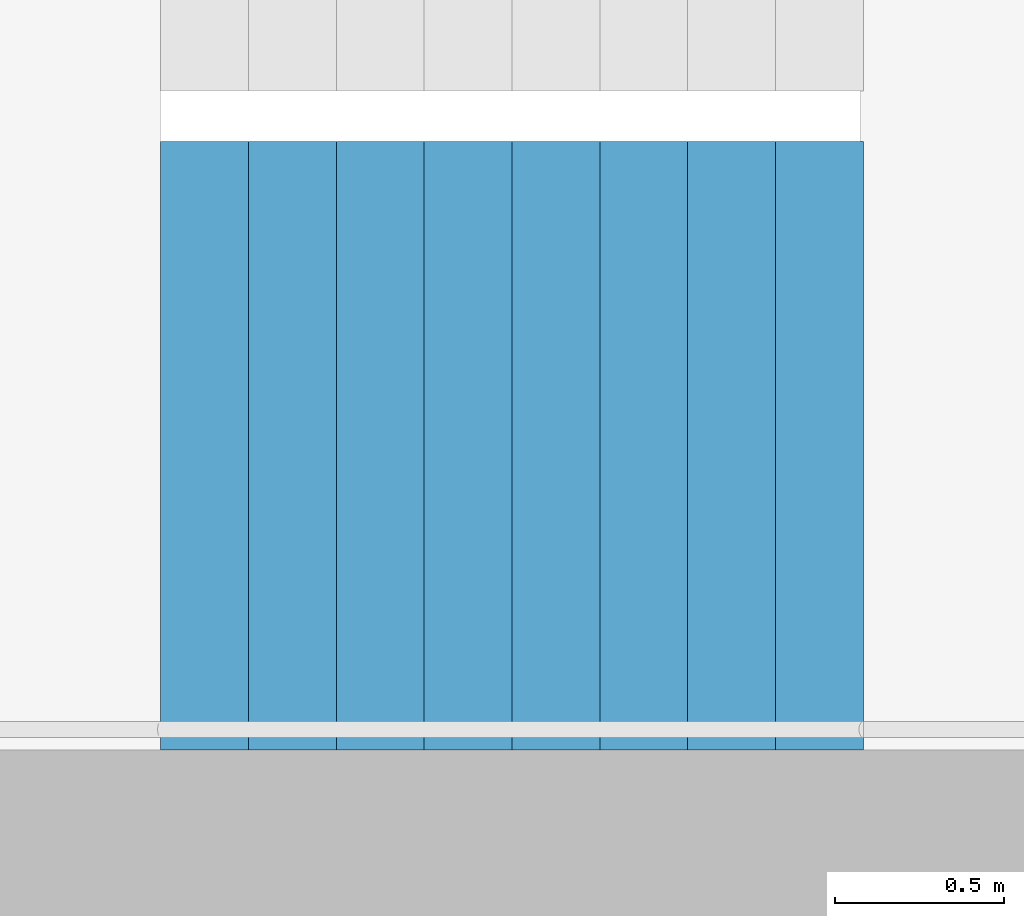
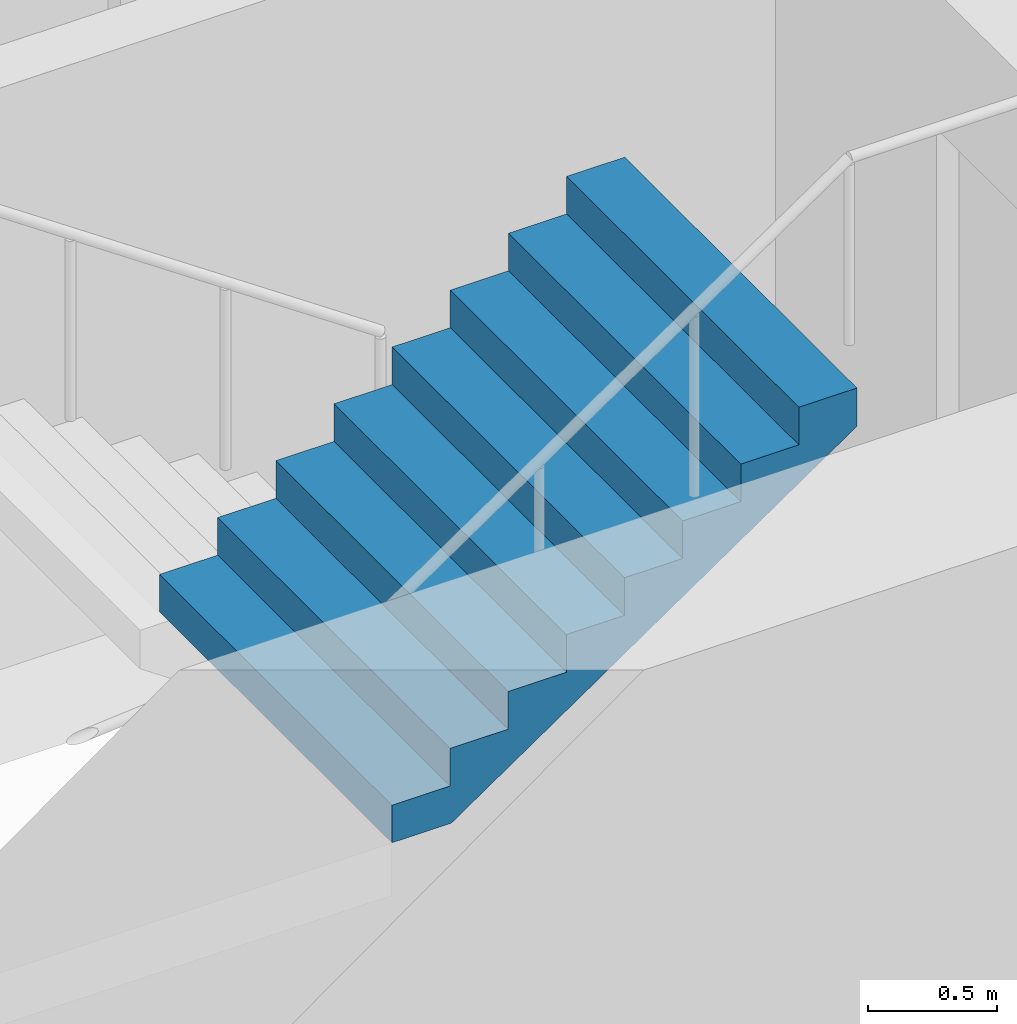
# One storey, part 18 of 26: 1 stair flight, 1 element without a shape of its own.
"""IFC4 building model written with IfcOpenShell, lengths in metres."""

from ifc_helpers import new_model, si_unit, direction, frame, origin, place, context, subcontext, project, spatial, triangles, material, type_object, element, aggregate, save


model = new_model("IFC4")

# Units and contexts
model_context = context("Model", 3, precision=1e-05, world=origin(), true_north=direction((0.0, 1.0)))
body_context = subcontext(model_context, "Body", "Model", "MODEL_VIEW")
ifc_project = project(units=[si_unit("LENGTHUNIT", "METRE"), si_unit("AREAUNIT", "SQUARE_METRE"), si_unit("VOLUMEUNIT", "CUBIC_METRE"), si_unit("PLANEANGLEUNIT", "RADIAN"), si_unit("MASSUNIT", "GRAM", prefix="KILO")], contexts=[model_context])

# Site, building, storey
site_placement = place(None, origin())
site = spatial("IfcSite", under=ifc_project, at=site_placement, CompositionType="ELEMENT")
building_placement = place(site_placement, origin())
building = spatial("IfcBuilding", under=site, at=building_placement, Name="Hakoniwa Tower and Hamabe Station Hall", CompositionType="ELEMENT")
storey_placement = place(building_placement, frame((0.0, 0.0, 143.800048828125)))
storey = spatial("IfcBuildingStorey", under=building, at=storey_placement, Name="L40", CompositionType="ELEMENT", Elevation=143.800048828125)

# Stair, stair flight
ifc_material_1 = material(Name="Concrete C40", Category="concrete")
stair_type = type_object("IfcStairType", Name="ESCAPE STAIR 1800", PredefinedType="HALF_TURN_STAIR", material=ifc_material_1)
stair_placement = place(storey_placement, origin())
stair = element("IfcStair", 1, at=stair_placement, inside=storey, type_object=stair_type, Name="Escape stair ST-2 L40", PredefinedType="HALF_TURN_STAIR")
ifc_material_2 = material(Name="Concrete C40", Category="concrete")
stair_flight_type = type_object("IfcStairFlightType", Name="STAIR FLIGHT 1800", PredefinedType="STRAIGHT", material=ifc_material_2)
stair_flight_placement = place(storey_placement, frame((-25.47998046875, -6.60009765625, 1.599853515625), z_axis=(0.0, 0.0, 1.0), x_axis=(1.0, 0.0, 0.0)))
stair_flight = element("IfcStairFlight", 2, at=stair_flight_placement, type_object=stair_flight_type, Name="ST-2 flight 2", NumberOfRisers=9, NumberOfTreads=8, PredefinedType="STRAIGHT", RiserHeight=0.177777778, TreadLength=0.26, context=body_context, shape_type="Tessellation", body=[
    triangles([(0.0, 0.89990234375, 0.0), (0.260009765625, 0.89990234375, 0.0), (0.265625, 0.89990234375, 0.0), (0.52001953125, 0.89990234375, 0.174072265625), (0.780029296875, 0.89990234375, 0.351806640625), (1.0400390625, 0.89990234375, 0.529541015625), (1.300048828125, 0.89990234375, 0.707275390625), (1.56005859375, 0.89990234375, 0.885009765625), (1.820068359375, 0.89990234375, 1.062744140625), (2.080078125, 0.89990234375, 1.24072265625), (2.080078125, 0.89990234375, 1.422119140625), (1.820068359375, 0.89990234375, 1.422119140625), (1.820068359375, 0.89990234375, 1.244384765625), (1.56005859375, 0.89990234375, 1.244384765625), (1.56005859375, 0.89990234375, 1.066650390625), (1.300048828125, 0.89990234375, 1.066650390625), (1.300048828125, 0.89990234375, 0.888916015625), (1.0400390625, 0.89990234375, 0.888916015625), (1.0400390625, 0.89990234375, 0.711181640625), (0.780029296875, 0.89990234375, 0.711181640625), (0.780029296875, 0.89990234375, 0.533447265625), (0.52001953125, 0.89990234375, 0.533447265625), (0.52001953125, 0.89990234375, 0.35546875), (0.265625, 0.89990234375, 0.35546875), (0.260009765625, 0.89990234375, 0.35546875), (0.260009765625, 0.89990234375, 0.177734375), (0.0, 0.89990234375, 0.177734375), (0.0, 0.06005859375, 0.0), (0.260009765625, 0.06005859375, 0.0), (0.265625, 0.06005859375, 0.0), (0.52001953125, 0.06005859375, 0.174072265625), (0.780029296875, 0.06005859375, 0.351806640625), (1.0400390625, 0.06005859375, 0.529541015625), (1.300048828125, 0.06005859375, 0.707275390625), (1.56005859375, 0.06005859375, 0.885009765625), (1.820068359375, 0.06005859375, 1.062744140625), (2.080078125, 0.06005859375, 1.24072265625), (2.080078125, 0.06005859375, 1.422119140625), (1.820068359375, 0.06005859375, 1.422119140625), (1.820068359375, 0.06005859375, 1.244384765625), (1.56005859375, 0.06005859375, 1.244384765625), (1.56005859375, 0.06005859375, 1.066650390625), (1.300048828125, 0.06005859375, 1.066650390625), (1.300048828125, 0.06005859375, 0.888916015625), (1.0400390625, 0.06005859375, 0.888916015625), (1.0400390625, 0.06005859375, 0.711181640625), (0.780029296875, 0.06005859375, 0.711181640625), (0.780029296875, 0.06005859375, 0.533447265625), (0.52001953125, 0.06005859375, 0.533447265625), (0.52001953125, 0.06005859375, 0.35546875), (0.265625, 0.06005859375, 0.35546875), (0.260009765625, 0.06005859375, 0.35546875), (0.260009765625, 0.06005859375, 0.177734375), (0.0, 0.06005859375, 0.177734375), (0.0, 0.04296875, 0.0), (0.260009765625, 0.04296875, 0.0), (0.265625, 0.04296875, 0.0), (0.52001953125, 0.04296875, 0.174072265625), (0.780029296875, 0.04296875, 0.351806640625), (1.0400390625, 0.04296875, 0.529541015625), (1.300048828125, 0.04296875, 0.707275390625), (1.56005859375, 0.04296875, 0.885009765625), (1.820068359375, 0.04296875, 1.062744140625), (2.080078125, 0.04296875, 1.24072265625), (2.080078125, 0.04296875, 1.422119140625), (1.820068359375, 0.04296875, 1.422119140625), (1.820068359375, 0.04296875, 1.244384765625), (1.56005859375, 0.04296875, 1.244384765625), (1.56005859375, 0.04296875, 1.066650390625), (1.300048828125, 0.04296875, 1.066650390625), (1.300048828125, 0.04296875, 0.888916015625), (1.0400390625, 0.04296875, 0.888916015625), (1.0400390625, 0.04296875, 0.711181640625), (0.780029296875, 0.04296875, 0.711181640625), (0.780029296875, 0.04296875, 0.533447265625), (0.52001953125, 0.04296875, 0.533447265625), (0.52001953125, 0.04296875, 0.35546875), (0.265625, 0.04296875, 0.35546875), (0.260009765625, 0.04296875, 0.35546875), (0.260009765625, 0.04296875, 0.177734375), (0.0, 0.04296875, 0.177734375), (0.0, 0.025634765625, 0.0), (0.260009765625, 0.025634765625, 0.0), (0.265625, 0.025634765625, 0.0), (0.52001953125, 0.025634765625, 0.174072265625), (0.780029296875, 0.025634765625, 0.351806640625), (1.0400390625, 0.025634765625, 0.529541015625), (1.300048828125, 0.025634765625, 0.707275390625), (1.56005859375, 0.025634765625, 0.885009765625), (1.820068359375, 0.025634765625, 1.062744140625), (2.080078125, 0.025634765625, 1.24072265625), (2.080078125, 0.025634765625, 1.422119140625), (1.820068359375, 0.025634765625, 1.422119140625), (1.820068359375, 0.025634765625, 1.244384765625), (1.56005859375, 0.025634765625, 1.244384765625), (1.56005859375, 0.025634765625, 1.066650390625), (1.300048828125, 0.025634765625, 1.066650390625), (1.300048828125, 0.025634765625, 0.888916015625), (1.0400390625, 0.025634765625, 0.888916015625), (1.0400390625, 0.025634765625, 0.711181640625), (0.780029296875, 0.025634765625, 0.711181640625), (0.780029296875, 0.025634765625, 0.533447265625), (0.52001953125, 0.025634765625, 0.533447265625), (0.52001953125, 0.025634765625, 0.35546875), (0.265625, 0.025634765625, 0.35546875), (0.260009765625, 0.025634765625, 0.35546875), (0.260009765625, 0.025634765625, 0.177734375), (0.0, 0.025634765625, 0.177734375), (0.0, 0.008544921875, 0.0), (0.260009765625, 0.008544921875, 0.0), (0.265625, 0.008544921875, 0.0), (0.52001953125, 0.008544921875, 0.174072265625), (0.780029296875, 0.008544921875, 0.351806640625), (1.0400390625, 0.008544921875, 0.529541015625), (1.300048828125, 0.008544921875, 0.707275390625), (1.56005859375, 0.008544921875, 0.885009765625), (1.820068359375, 0.008544921875, 1.062744140625), (2.080078125, 0.008544921875, 1.24072265625), (2.080078125, 0.008544921875, 1.422119140625), (1.820068359375, 0.008544921875, 1.422119140625), (1.820068359375, 0.008544921875, 1.244384765625), (1.56005859375, 0.008544921875, 1.244384765625), (1.56005859375, 0.008544921875, 1.066650390625), (1.300048828125, 0.008544921875, 1.066650390625), (1.300048828125, 0.008544921875, 0.888916015625), (1.0400390625, 0.008544921875, 0.888916015625), (1.0400390625, 0.008544921875, 0.711181640625), (0.780029296875, 0.008544921875, 0.711181640625), (0.780029296875, 0.008544921875, 0.533447265625), (0.52001953125, 0.008544921875, 0.533447265625), (0.52001953125, 0.008544921875, 0.35546875), (0.265625, 0.008544921875, 0.35546875), (0.260009765625, 0.008544921875, 0.35546875), (0.260009765625, 0.008544921875, 0.177734375), (0.0, 0.008544921875, 0.177734375), (0.0, -0.008544921875, 0.0), (0.260009765625, -0.008544921875, 0.0), (0.265625, -0.008544921875, 0.0), (0.52001953125, -0.008544921875, 0.174072265625), (0.780029296875, -0.008544921875, 0.351806640625), (1.0400390625, -0.008544921875, 0.529541015625), (1.300048828125, -0.008544921875, 0.707275390625), (1.56005859375, -0.008544921875, 0.885009765625), (1.820068359375, -0.008544921875, 1.062744140625), (2.080078125, -0.008544921875, 1.24072265625), (2.080078125, -0.008544921875, 1.422119140625), (1.820068359375, -0.008544921875, 1.422119140625), (1.820068359375, -0.008544921875, 1.244384765625), (1.56005859375, -0.008544921875, 1.244384765625), (1.56005859375, -0.008544921875, 1.066650390625), (1.300048828125, -0.008544921875, 1.066650390625), (1.300048828125, -0.008544921875, 0.888916015625), (1.0400390625, -0.008544921875, 0.888916015625), (1.0400390625, -0.008544921875, 0.711181640625), (0.780029296875, -0.008544921875, 0.711181640625), (0.780029296875, -0.008544921875, 0.533447265625), (0.52001953125, -0.008544921875, 0.533447265625), (0.52001953125, -0.008544921875, 0.35546875), (0.265625, -0.008544921875, 0.35546875), (0.260009765625, -0.008544921875, 0.35546875), (0.260009765625, -0.008544921875, 0.177734375), (0.0, -0.008544921875, 0.177734375), (0.0, -0.025634765625, 0.0), (0.260009765625, -0.025634765625, 0.0), (0.265625, -0.025634765625, 0.0), (0.52001953125, -0.025634765625, 0.174072265625), (0.780029296875, -0.025634765625, 0.351806640625), (1.0400390625, -0.025634765625, 0.529541015625), (1.300048828125, -0.025634765625, 0.707275390625), (1.56005859375, -0.025634765625, 0.885009765625), (1.820068359375, -0.025634765625, 1.062744140625), (2.080078125, -0.025634765625, 1.24072265625), (2.080078125, -0.025634765625, 1.422119140625), (1.820068359375, -0.025634765625, 1.422119140625), (1.820068359375, -0.025634765625, 1.244384765625), (1.56005859375, -0.025634765625, 1.244384765625), (1.56005859375, -0.025634765625, 1.066650390625), (1.300048828125, -0.025634765625, 1.066650390625), (1.300048828125, -0.025634765625, 0.888916015625), (1.0400390625, -0.025634765625, 0.888916015625), (1.0400390625, -0.025634765625, 0.711181640625), (0.780029296875, -0.025634765625, 0.711181640625), (0.780029296875, -0.025634765625, 0.533447265625), (0.52001953125, -0.025634765625, 0.533447265625), (0.52001953125, -0.025634765625, 0.35546875), (0.265625, -0.025634765625, 0.35546875), (0.260009765625, -0.025634765625, 0.35546875), (0.260009765625, -0.025634765625, 0.177734375), (0.0, -0.025634765625, 0.177734375), (0.0, -0.04296875, 0.0), (0.260009765625, -0.04296875, 0.0), (0.265625, -0.04296875, 0.0), (0.52001953125, -0.04296875, 0.174072265625), (0.780029296875, -0.04296875, 0.351806640625), (1.0400390625, -0.04296875, 0.529541015625), (1.300048828125, -0.04296875, 0.707275390625), (1.56005859375, -0.04296875, 0.885009765625), (1.820068359375, -0.04296875, 1.062744140625), (2.080078125, -0.04296875, 1.24072265625), (2.080078125, -0.04296875, 1.422119140625), (1.820068359375, -0.04296875, 1.422119140625), (1.820068359375, -0.04296875, 1.244384765625), (1.56005859375, -0.04296875, 1.244384765625), (1.56005859375, -0.04296875, 1.066650390625), (1.300048828125, -0.04296875, 1.066650390625), (1.300048828125, -0.04296875, 0.888916015625), (1.0400390625, -0.04296875, 0.888916015625), (1.0400390625, -0.04296875, 0.711181640625), (0.780029296875, -0.04296875, 0.711181640625), (0.780029296875, -0.04296875, 0.533447265625), (0.52001953125, -0.04296875, 0.533447265625), (0.52001953125, -0.04296875, 0.35546875), (0.265625, -0.04296875, 0.35546875), (0.260009765625, -0.04296875, 0.35546875), (0.260009765625, -0.04296875, 0.177734375), (0.0, -0.04296875, 0.177734375), (0.0, -0.06005859375, 0.0), (0.260009765625, -0.06005859375, 0.0), (0.265625, -0.06005859375, 0.0), (0.52001953125, -0.06005859375, 0.174072265625), (0.780029296875, -0.06005859375, 0.351806640625), (1.0400390625, -0.06005859375, 0.529541015625), (1.300048828125, -0.06005859375, 0.707275390625), (1.56005859375, -0.06005859375, 0.885009765625), (1.820068359375, -0.06005859375, 1.062744140625), (2.080078125, -0.06005859375, 1.24072265625), (2.080078125, -0.06005859375, 1.422119140625), (1.820068359375, -0.06005859375, 1.422119140625), (1.820068359375, -0.06005859375, 1.244384765625), (1.56005859375, -0.06005859375, 1.244384765625), (1.56005859375, -0.06005859375, 1.066650390625), (1.300048828125, -0.06005859375, 1.066650390625), (1.300048828125, -0.06005859375, 0.888916015625), (1.0400390625, -0.06005859375, 0.888916015625), (1.0400390625, -0.06005859375, 0.711181640625), (0.780029296875, -0.06005859375, 0.711181640625), (0.780029296875, -0.06005859375, 0.533447265625), (0.52001953125, -0.06005859375, 0.533447265625), (0.52001953125, -0.06005859375, 0.35546875), (0.265625, -0.06005859375, 0.35546875), (0.260009765625, -0.06005859375, 0.35546875), (0.260009765625, -0.06005859375, 0.177734375), (0.0, -0.06005859375, 0.177734375), (0.0, -0.89990234375, 0.0), (0.260009765625, -0.89990234375, 0.0), (0.265625, -0.89990234375, 0.0), (0.52001953125, -0.89990234375, 0.174072265625), (0.780029296875, -0.89990234375, 0.351806640625), (1.0400390625, -0.89990234375, 0.529541015625), (1.300048828125, -0.89990234375, 0.707275390625), (1.56005859375, -0.89990234375, 0.885009765625), (1.820068359375, -0.89990234375, 1.062744140625), (2.080078125, -0.89990234375, 1.24072265625), (2.080078125, -0.89990234375, 1.422119140625), (1.820068359375, -0.89990234375, 1.422119140625), (1.820068359375, -0.89990234375, 1.244384765625), (1.56005859375, -0.89990234375, 1.244384765625), (1.56005859375, -0.89990234375, 1.066650390625), (1.300048828125, -0.89990234375, 1.066650390625), (1.300048828125, -0.89990234375, 0.888916015625), (1.0400390625, -0.89990234375, 0.888916015625), (1.0400390625, -0.89990234375, 0.711181640625), (0.780029296875, -0.89990234375, 0.711181640625), (0.780029296875, -0.89990234375, 0.533447265625), (0.52001953125, -0.89990234375, 0.533447265625), (0.52001953125, -0.89990234375, 0.35546875), (0.265625, -0.89990234375, 0.35546875), (0.260009765625, -0.89990234375, 0.35546875), (0.260009765625, -0.89990234375, 0.177734375), (0.0, -0.89990234375, 0.177734375)], [[2, 27, 26], [245, 269, 270], [2, 1, 27], [245, 270, 244], [3, 25, 24], [246, 267, 268], [3, 26, 25], [246, 268, 269], [3, 2, 26], [246, 269, 245], [4, 24, 23], [247, 266, 267], [4, 3, 24], [247, 267, 246], [5, 22, 21], [248, 264, 265], [5, 23, 22], [248, 265, 266], [5, 4, 23], [248, 266, 247], [6, 20, 19], [249, 262, 263], [6, 21, 20], [249, 263, 264], [6, 5, 21], [249, 264, 248], [7, 18, 17], [250, 260, 261], [7, 19, 18], [250, 261, 262], [7, 6, 19], [250, 262, 249], [8, 16, 15], [251, 258, 259], [8, 17, 16], [251, 259, 260], [8, 7, 17], [251, 260, 250], [9, 14, 13], [252, 256, 257], [9, 15, 14], [252, 257, 258], [9, 8, 15], [252, 258, 251], [10, 12, 11], [253, 254, 255], [10, 13, 12], [253, 255, 256], [10, 9, 13], [253, 256, 252], [1, 2, 29], [1, 29, 28], [28, 29, 56], [28, 56, 55], [55, 56, 83], [55, 83, 82], [82, 83, 110], [82, 110, 109], [109, 110, 137], [109, 137, 136], [136, 137, 164], [136, 164, 163], [163, 164, 191], [163, 191, 190], [190, 191, 218], [190, 218, 217], [217, 218, 245], [217, 245, 244], [2, 3, 30], [2, 30, 29], [29, 30, 57], [29, 57, 56], [56, 57, 84], [56, 84, 83], [83, 84, 111], [83, 111, 110], [110, 111, 138], [110, 138, 137], [137, 138, 165], [137, 165, 164], [164, 165, 192], [164, 192, 191], [191, 192, 219], [191, 219, 218], [218, 219, 246], [218, 246, 245], [3, 4, 31], [3, 31, 30], [30, 31, 58], [30, 58, 57], [57, 58, 85], [57, 85, 84], [84, 85, 112], [84, 112, 111], [111, 112, 139], [111, 139, 138], [138, 139, 166], [138, 166, 165], [165, 166, 193], [165, 193, 192], [192, 193, 220], [192, 220, 219], [219, 220, 247], [219, 247, 246], [4, 5, 32], [4, 32, 31], [31, 32, 59], [31, 59, 58], [58, 59, 86], [58, 86, 85], [85, 86, 113], [85, 113, 112], [112, 113, 140], [112, 140, 139], [139, 140, 167], [139, 167, 166], [166, 167, 194], [166, 194, 193], [193, 194, 221], [193, 221, 220], [220, 221, 248], [220, 248, 247], [5, 6, 33], [5, 33, 32], [32, 33, 60], [32, 60, 59], [59, 60, 87], [59, 87, 86], [86, 87, 114], [86, 114, 113], [113, 114, 141], [113, 141, 140], [140, 141, 168], [140, 168, 167], [167, 168, 195], [167, 195, 194], [194, 195, 222], [194, 222, 221], [221, 222, 249], [221, 249, 248], [6, 7, 34], [6, 34, 33], [33, 34, 61], [33, 61, 60], [60, 61, 88], [60, 88, 87], [87, 88, 115], [87, 115, 114], [114, 115, 142], [114, 142, 141], [141, 142, 169], [141, 169, 168], [168, 169, 196], [168, 196, 195], [195, 196, 223], [195, 223, 222], [222, 223, 250], [222, 250, 249], [7, 8, 35], [7, 35, 34], [34, 35, 62], [34, 62, 61], [61, 62, 89], [61, 89, 88], [88, 89, 116], [88, 116, 115], [115, 116, 143], [115, 143, 142], [142, 143, 170], [142, 170, 169], [169, 170, 197], [169, 197, 196], [196, 197, 224], [196, 224, 223], [223, 224, 251], [223, 251, 250], [8, 9, 36], [8, 36, 35], [35, 36, 63], [35, 63, 62], [62, 63, 90], [62, 90, 89], [89, 90, 117], [89, 117, 116], [116, 117, 144], [116, 144, 143], [143, 144, 171], [143, 171, 170], [170, 171, 198], [170, 198, 197], [197, 198, 225], [197, 225, 224], [224, 225, 252], [224, 252, 251], [9, 10, 37], [9, 37, 36], [36, 37, 64], [36, 64, 63], [63, 64, 91], [63, 91, 90], [90, 91, 118], [90, 118, 117], [117, 118, 145], [117, 145, 144], [144, 145, 172], [144, 172, 171], [171, 172, 199], [171, 199, 198], [198, 199, 226], [198, 226, 225], [225, 226, 253], [225, 253, 252], [10, 11, 38], [10, 38, 37], [37, 38, 65], [37, 65, 64], [64, 65, 92], [64, 92, 91], [91, 92, 119], [91, 119, 118], [118, 119, 146], [118, 146, 145], [145, 146, 173], [145, 173, 172], [172, 173, 200], [172, 200, 199], [199, 200, 227], [199, 227, 226], [226, 227, 254], [226, 254, 253], [11, 12, 39], [11, 39, 38], [38, 39, 66], [38, 66, 65], [65, 66, 93], [65, 93, 92], [92, 93, 120], [92, 120, 119], [119, 120, 147], [119, 147, 146], [146, 147, 174], [146, 174, 173], [173, 174, 201], [173, 201, 200], [200, 201, 228], [200, 228, 227], [227, 228, 255], [227, 255, 254], [12, 13, 40], [12, 40, 39], [39, 40, 67], [39, 67, 66], [66, 67, 94], [66, 94, 93], [93, 94, 121], [93, 121, 120], [120, 121, 148], [120, 148, 147], [147, 148, 175], [147, 175, 174], [174, 175, 202], [174, 202, 201], [201, 202, 229], [201, 229, 228], [228, 229, 256], [228, 256, 255], [13, 14, 41], [13, 41, 40], [40, 41, 68], [40, 68, 67], [67, 68, 95], [67, 95, 94], [94, 95, 122], [94, 122, 121], [121, 122, 149], [121, 149, 148], [148, 149, 176], [148, 176, 175], [175, 176, 203], [175, 203, 202], [202, 203, 230], [202, 230, 229], [229, 230, 257], [229, 257, 256], [14, 15, 42], [14, 42, 41], [41, 42, 69], [41, 69, 68], [68, 69, 96], [68, 96, 95], [95, 96, 123], [95, 123, 122], [122, 123, 150], [122, 150, 149], [149, 150, 177], [149, 177, 176], [176, 177, 204], [176, 204, 203], [203, 204, 231], [203, 231, 230], [230, 231, 258], [230, 258, 257], [15, 16, 43], [15, 43, 42], [42, 43, 70], [42, 70, 69], [69, 70, 97], [69, 97, 96], [96, 97, 124], [96, 124, 123], [123, 124, 151], [123, 151, 150], [150, 151, 178], [150, 178, 177], [177, 178, 205], [177, 205, 204], [204, 205, 232], [204, 232, 231], [231, 232, 259], [231, 259, 258], [16, 17, 44], [16, 44, 43], [43, 44, 71], [43, 71, 70], [70, 71, 98], [70, 98, 97], [97, 98, 125], [97, 125, 124], [124, 125, 152], [124, 152, 151], [151, 152, 179], [151, 179, 178], [178, 179, 206], [178, 206, 205], [205, 206, 233], [205, 233, 232], [232, 233, 260], [232, 260, 259], [17, 18, 45], [17, 45, 44], [44, 45, 72], [44, 72, 71], [71, 72, 99], [71, 99, 98], [98, 99, 126], [98, 126, 125], [125, 126, 153], [125, 153, 152], [152, 153, 180], [152, 180, 179], [179, 180, 207], [179, 207, 206], [206, 207, 234], [206, 234, 233], [233, 234, 261], [233, 261, 260], [18, 19, 46], [18, 46, 45], [45, 46, 73], [45, 73, 72], [72, 73, 100], [72, 100, 99], [99, 100, 127], [99, 127, 126], [126, 127, 154], [126, 154, 153], [153, 154, 181], [153, 181, 180], [180, 181, 208], [180, 208, 207], [207, 208, 235], [207, 235, 234], [234, 235, 262], [234, 262, 261], [19, 20, 47], [19, 47, 46], [46, 47, 74], [46, 74, 73], [73, 74, 101], [73, 101, 100], [100, 101, 128], [100, 128, 127], [127, 128, 155], [127, 155, 154], [154, 155, 182], [154, 182, 181], [181, 182, 209], [181, 209, 208], [208, 209, 236], [208, 236, 235], [235, 236, 263], [235, 263, 262], [20, 21, 48], [20, 48, 47], [47, 48, 75], [47, 75, 74], [74, 75, 102], [74, 102, 101], [101, 102, 129], [101, 129, 128], [128, 129, 156], [128, 156, 155], [155, 156, 183], [155, 183, 182], [182, 183, 210], [182, 210, 209], [209, 210, 237], [209, 237, 236], [236, 237, 264], [236, 264, 263], [21, 22, 49], [21, 49, 48], [48, 49, 76], [48, 76, 75], [75, 76, 103], [75, 103, 102], [102, 103, 130], [102, 130, 129], [129, 130, 157], [129, 157, 156], [156, 157, 184], [156, 184, 183], [183, 184, 211], [183, 211, 210], [210, 211, 238], [210, 238, 237], [237, 238, 265], [237, 265, 264], [22, 23, 50], [22, 50, 49], [49, 50, 77], [49, 77, 76], [76, 77, 104], [76, 104, 103], [103, 104, 131], [103, 131, 130], [130, 131, 158], [130, 158, 157], [157, 158, 185], [157, 185, 184], [184, 185, 212], [184, 212, 211], [211, 212, 239], [211, 239, 238], [238, 239, 266], [238, 266, 265], [23, 24, 51], [23, 51, 50], [50, 51, 78], [50, 78, 77], [77, 78, 105], [77, 105, 104], [104, 105, 132], [104, 132, 131], [131, 132, 159], [131, 159, 158], [158, 159, 186], [158, 186, 185], [185, 186, 213], [185, 213, 212], [212, 213, 240], [212, 240, 239], [239, 240, 267], [239, 267, 266], [24, 25, 52], [24, 52, 51], [51, 52, 79], [51, 79, 78], [78, 79, 106], [78, 106, 105], [105, 106, 133], [105, 133, 132], [132, 133, 160], [132, 160, 159], [159, 160, 187], [159, 187, 186], [186, 187, 214], [186, 214, 213], [213, 214, 241], [213, 241, 240], [240, 241, 268], [240, 268, 267], [25, 26, 53], [25, 53, 52], [52, 53, 80], [52, 80, 79], [79, 80, 107], [79, 107, 106], [106, 107, 134], [106, 134, 133], [133, 134, 161], [133, 161, 160], [160, 161, 188], [160, 188, 187], [187, 188, 215], [187, 215, 214], [214, 215, 242], [214, 242, 241], [241, 242, 269], [241, 269, 268], [26, 27, 54], [26, 54, 53], [53, 54, 81], [53, 81, 80], [80, 81, 108], [80, 108, 107], [107, 108, 135], [107, 135, 134], [134, 135, 162], [134, 162, 161], [161, 162, 189], [161, 189, 188], [188, 189, 216], [188, 216, 215], [215, 216, 243], [215, 243, 242], [242, 243, 270], [242, 270, 269], [27, 1, 28], [27, 28, 54], [54, 28, 55], [54, 55, 81], [81, 55, 82], [81, 82, 108], [108, 82, 109], [108, 109, 135], [135, 109, 136], [135, 136, 162], [162, 136, 163], [162, 163, 189], [189, 163, 190], [189, 190, 216], [216, 190, 217], [216, 217, 243], [243, 217, 244], [243, 244, 270]], closed=True),
])
aggregate(stair, [stair_flight])

save(model, "model.ifc")
